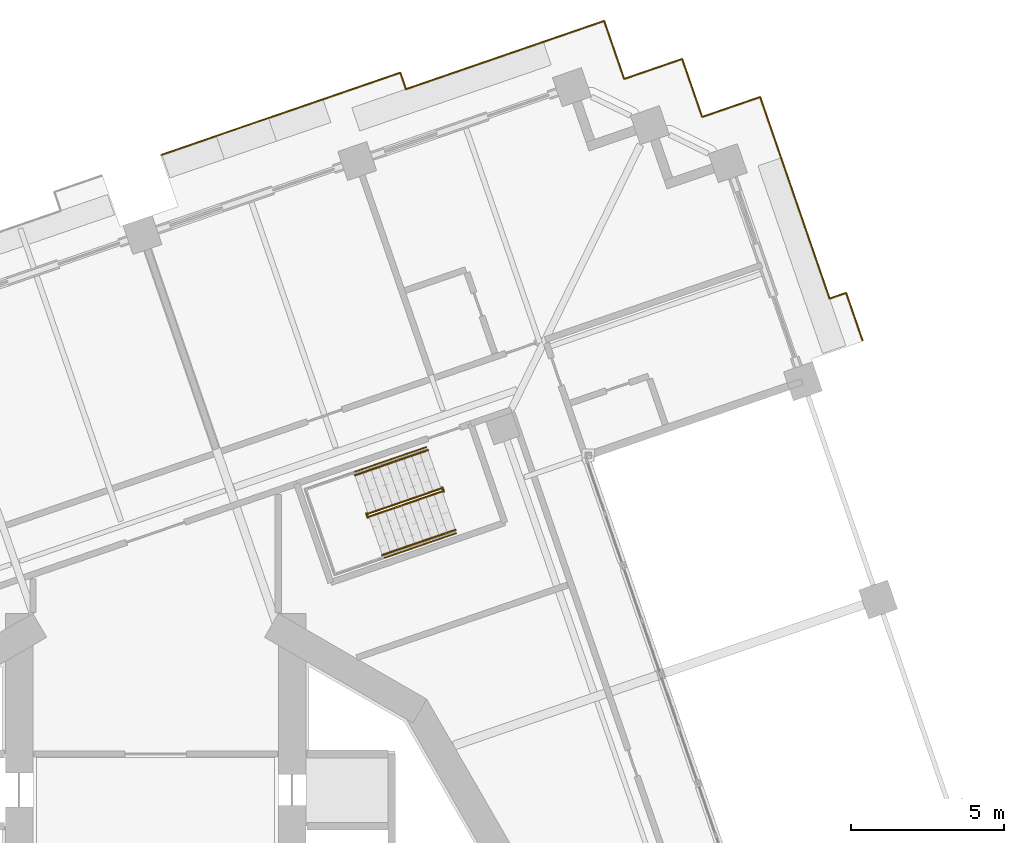
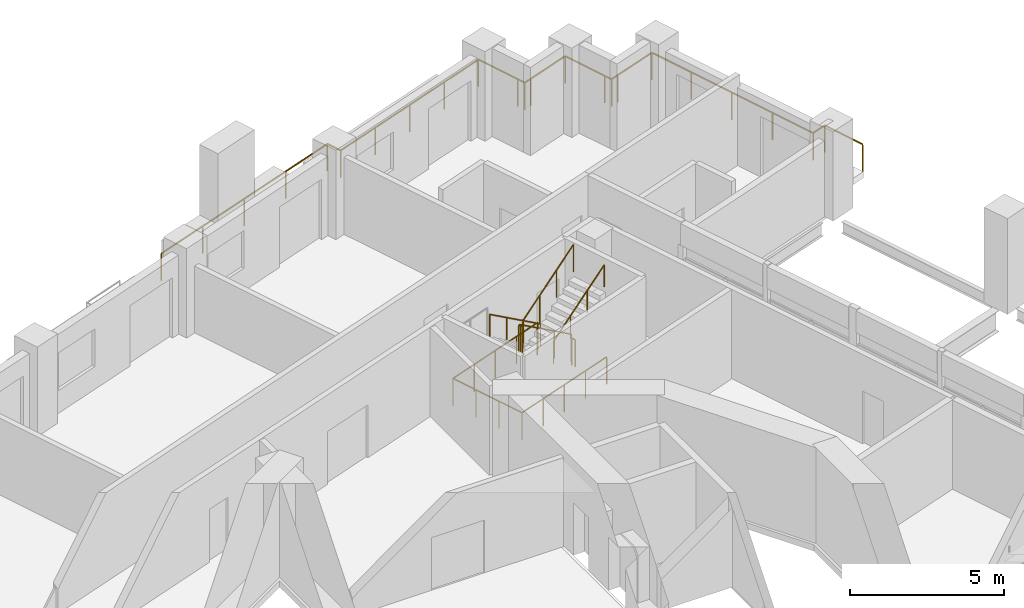
# One storey, part 18 of 19: 8 railings.
"""IFC4 building model written with IfcOpenShell, lengths in metres."""

from ifc_helpers import new_model, si_unit, direction, frame, origin, origin_2d, place, context, subcontext, project, spatial, circle, extrude, material, type_object, element, save


model = new_model("IFC4")

# Units and contexts
model_context = context("Model", 3, precision=1e-05, world=origin(), true_north=direction((0.0, 1.0)))
body_context = subcontext(model_context, "Body", "Model", "MODEL_VIEW")
ifc_project = project(units=[si_unit("LENGTHUNIT", "METRE"), si_unit("AREAUNIT", "SQUARE_METRE"), si_unit("VOLUMEUNIT", "CUBIC_METRE"), si_unit("PLANEANGLEUNIT", "RADIAN"), si_unit("MASSUNIT", "GRAM", prefix="KILO")], contexts=[model_context])

# Site, building, storey
site_placement = place(None, origin())
site = spatial("IfcSite", under=ifc_project, at=site_placement, CompositionType="ELEMENT")
building_placement = place(site_placement, origin())
building = spatial("IfcBuilding", under=site, at=building_placement, Name="Cantera Rosa Tower", CompositionType="ELEMENT")
storey_placement = place(building_placement, frame((0.0, 0.0, 130.699951171875)))
storey = spatial("IfcBuildingStorey", under=building, at=storey_placement, Name="L27", CompositionType="ELEMENT", Elevation=130.699951171875)

# Railings
ifc_material_1 = material(Name="Stainless steel and laminated glass", Category="steel")
railing_type_1 = type_object("IfcRailingType", Name="GUARD 1100", PredefinedType="BALUSTRADE", material=ifc_material_1)
railing_1_placement = place(storey_placement, frame((19.705810546875, 28.466552734375, 0.0)))
element("IfcRailing", 1, at=railing_1_placement, inside=storey, type_object=railing_type_1, Name="GUARD L27-11", PredefinedType="BALUSTRADE", context=body_context, shape_type="SweptSolid", body=[
    extrude(circle(Radius=0.030029296875, at=origin_2d()), frame((0.0, 0.0, 1.070068359375), z_axis=(0.325561349174, -0.945520918819, 0.0), x_axis=(0.945520918819, 0.325561349174, 0.0)), (0.0, 0.0, 1.0), 1.699951171875),
    extrude(circle(Radius=0.030029296875, at=origin_2d()), frame((0.553466796875, -1.607421875, 1.070068359375), z_axis=(0.325547706926, -0.945525616002, 0.0), x_axis=(0.945525616002, 0.325547706926, 0.0)), (0.0, 0.0, 1.0), 5.248779296875),
    extrude(circle(Radius=0.030029296875, at=origin_2d()), frame((2.26220703125, -6.5703125, 1.070068359375), z_axis=(0.945518182111, 0.325569297229, 0.0), x_axis=(-0.325569297229, 0.945518182111, 0.0)), (0.0, 0.0, 1.0), 0.571533203125),
    extrude(circle(Radius=0.030029296875, at=origin_2d()), frame((2.802490234375, -6.38427734375, 1.070068359375), z_axis=(0.325495496573, -0.945543590593, 0.0), x_axis=(0.945543590593, 0.325495496573, 0.0)), (0.0, 0.0, 1.0), 1.64111328125),
    extrude(circle(Radius=0.02490234375, at=origin_2d()), origin(), (0.0, 0.0, 1.0), 1.0400390625),
    extrude(circle(Radius=0.02490234375, at=origin_2d()), frame((0.553466796875, -1.607421875, 0.0)), (0.0, 0.0, 1.0), 1.0400390625),
    extrude(circle(Radius=0.02490234375, at=origin_2d()), frame((1.123046875, -3.26171875, 0.0)), (0.0, 0.0, 1.0), 1.0400390625),
    extrude(circle(Radius=0.02490234375, at=origin_2d()), frame((1.692626953125, -4.916015625, 0.0)), (0.0, 0.0, 1.0), 1.0400390625),
    extrude(circle(Radius=0.02490234375, at=origin_2d()), frame((2.26220703125, -6.5703125, 0.0)), (0.0, 0.0, 1.0), 1.0400390625),
    extrude(circle(Radius=0.02490234375, at=origin_2d()), frame((2.802490234375, -6.38427734375, 0.0)), (0.0, 0.0, 1.0), 1.0400390625),
    extrude(circle(Radius=0.02490234375, at=origin_2d()), frame((3.336669921875, -7.93603515625, 0.0)), (0.0, 0.0, 1.0), 1.0400390625),
])
railing_2_placement = place(storey_placement, frame((0.187255859375, 26.57763671875, 0.0)))
element("IfcRailing", 2, at=railing_2_placement, inside=storey, type_object=railing_type_1, Name="GUARD L27-12", PredefinedType="BALUSTRADE", context=body_context, shape_type="SweptSolid", body=[
    extrude(circle(Radius=0.030029296875, at=origin_2d()), frame((0.0, 0.0, 1.070068359375), z_axis=(0.945522782274, 0.325555937132, 0.0), x_axis=(-0.325555937132, 0.945522782274, 0.0)), (0.0, 0.0, 1.0), 8.238525390625),
    extrude(circle(Radius=0.030029296875, at=origin_2d()), frame((7.789794921875, 2.68212890625, 1.070068359375), z_axis=(0.325871596129, -0.945414037782, 0.0), x_axis=(0.945414037782, 0.325871596129, 0.0)), (0.0, 0.0, 1.0), 0.568603515625),
    extrude(circle(Radius=0.030029296875, at=origin_2d()), frame((7.97509765625, 2.14453125, 1.070068359375), z_axis=(0.945515978241, 0.325575697635, 0.0), x_axis=(-0.325575697635, 0.945515978241, 0.0)), (0.0, 0.0, 1.0), 5.13134765625),
    extrude(circle(Radius=0.030029296875, at=origin_2d()), frame((12.826904296875, 3.815185546875, 1.070068359375), z_axis=(0.945520918819, 0.325561349174, 0.0), x_axis=(-0.325561349174, 0.945520918819, 0.0)), (0.0, 0.0, 1.0), 1.699951171875),
    extrude(circle(Radius=0.030029296875, at=origin_2d()), frame((14.434326171875, 4.36865234375, 1.070068359375), z_axis=(0.325561349174, -0.945520918819, 0.0), x_axis=(0.945520918819, 0.325561349174, 0.0)), (0.0, 0.0, 1.0), 1.699951171875),
    extrude(circle(Radius=0.030029296875, at=origin_2d()), frame((14.98779296875, 2.76123046875, 1.070068359375), z_axis=(0.325489086777, -0.945545797087, 0.0), x_axis=(0.945545797087, 0.325489086777, 0.0)), (0.0, 0.0, 1.0), 0.300048828125),
    extrude(circle(Radius=0.030029296875, at=origin_2d()), frame((15.08544921875, 2.4775390625, 1.070068359375), z_axis=(0.945459489149, 0.325739703411, 0.0), x_axis=(-0.325739703411, 0.945459489149, 0.0)), (0.0, 0.0, 1.0), 0.2998046875),
    extrude(circle(Radius=0.030029296875, at=origin_2d()), frame((15.368896484375, 2.5751953125, 1.070068359375), z_axis=(0.945520918819, 0.325561349174, 0.0), x_axis=(-0.325561349174, 0.945520918819, 0.0)), (0.0, 0.0, 1.0), 1.699951171875),
    extrude(circle(Radius=0.030029296875, at=origin_2d()), frame((16.976318359375, 3.128662109375, 1.070068359375), z_axis=(0.325605561237, -0.945505694584, 0.0), x_axis=(0.945505694584, 0.325605561237, 0.0)), (0.0, 0.0, 1.0), 1.69970703125),
    extrude(circle(Radius=0.030029296875, at=origin_2d()), frame((17.52978515625, 1.521484375, 1.070068359375), z_axis=(0.325489086777, -0.945545797087, 0.0), x_axis=(0.945545797087, 0.325489086777, 0.0)), (0.0, 0.0, 1.0), 0.300048828125),
    extrude(circle(Radius=0.030029296875, at=origin_2d()), frame((17.62744140625, 1.23779296875, 1.070068359375), z_axis=(0.945545797087, 0.325489086777, 0.0), x_axis=(-0.325489086777, 0.945545797087, 0.0)), (0.0, 0.0, 1.0), 0.300048828125),
    extrude(circle(Radius=0.030029296875, at=origin_2d()), frame((17.9111328125, 1.33544921875, 1.070068359375), z_axis=(0.945520918819, 0.325561349174, 0.0), x_axis=(-0.325561349174, 0.945520918819, 0.0)), (0.0, 0.0, 1.0), 1.699951171875),
    extrude(circle(Radius=0.02490234375, at=origin_2d()), origin(), (0.0, 0.0, 1.0), 1.0400390625),
    extrude(circle(Radius=0.02490234375, at=origin_2d()), frame((1.947509765625, 0.67041015625, 0.0)), (0.0, 0.0, 1.0), 1.0400390625),
    extrude(circle(Radius=0.02490234375, at=origin_2d()), frame((3.89501953125, 1.341064453125, 0.0)), (0.0, 0.0, 1.0), 1.0400390625),
    extrude(circle(Radius=0.02490234375, at=origin_2d()), frame((5.84228515625, 2.01171875, 0.0)), (0.0, 0.0, 1.0), 1.0400390625),
    extrude(circle(Radius=0.02490234375, at=origin_2d()), frame((7.789794921875, 2.68212890625, 0.0)), (0.0, 0.0, 1.0), 1.0400390625),
    extrude(circle(Radius=0.02490234375, at=origin_2d()), frame((7.97509765625, 2.14453125, 0.0)), (0.0, 0.0, 1.0), 1.0400390625),
    extrude(circle(Radius=0.02490234375, at=origin_2d()), frame((9.59228515625, 2.701416015625, 0.0)), (0.0, 0.0, 1.0), 1.0400390625),
    extrude(circle(Radius=0.02490234375, at=origin_2d()), frame((11.209716796875, 3.25830078125, 0.0)), (0.0, 0.0, 1.0), 1.0400390625),
    extrude(circle(Radius=0.02490234375, at=origin_2d()), frame((12.826904296875, 3.815185546875, 0.0)), (0.0, 0.0, 1.0), 1.0400390625),
    extrude(circle(Radius=0.02490234375, at=origin_2d()), frame((14.434326171875, 4.36865234375, 0.0)), (0.0, 0.0, 1.0), 1.0400390625),
    extrude(circle(Radius=0.02490234375, at=origin_2d()), frame((14.98779296875, 2.76123046875, 0.0)), (0.0, 0.0, 1.0), 1.0400390625),
    extrude(circle(Radius=0.02490234375, at=origin_2d()), frame((15.08544921875, 2.4775390625, 0.0)), (0.0, 0.0, 1.0), 1.0400390625),
    extrude(circle(Radius=0.02490234375, at=origin_2d()), frame((15.368896484375, 2.5751953125, 0.0)), (0.0, 0.0, 1.0), 1.0400390625),
    extrude(circle(Radius=0.02490234375, at=origin_2d()), frame((16.976318359375, 3.128662109375, 0.0)), (0.0, 0.0, 1.0), 1.0400390625),
    extrude(circle(Radius=0.02490234375, at=origin_2d()), frame((17.52978515625, 1.521484375, 0.0)), (0.0, 0.0, 1.0), 1.0400390625),
    extrude(circle(Radius=0.02490234375, at=origin_2d()), frame((17.62744140625, 1.23779296875, 0.0)), (0.0, 0.0, 1.0), 1.0400390625),
    extrude(circle(Radius=0.02490234375, at=origin_2d()), frame((17.9111328125, 1.33544921875, 0.0)), (0.0, 0.0, 1.0), 1.0400390625),
    extrude(circle(Radius=0.02490234375, at=origin_2d()), frame((19.5185546875, 1.888916015625, 0.0)), (0.0, 0.0, 1.0), 1.0400390625),
])
ifc_material_2 = material(Name="Steel S355J2 (EN 10025-2)", Category="steel")
railing_type_2 = type_object("IfcRailingType", Name="STAIR GUARD 1100", PredefinedType="GUARDRAIL", material=ifc_material_2)
railing_3_placement = place(storey_placement, frame((9.307861328125, 15.7021484375, 0.18994140625)))
element("IfcRailing", 3, at=railing_3_placement, inside=storey, type_object=railing_type_2, Name="L27 ST-21 stair guard 1", PredefinedType="GUARDRAIL", context=body_context, shape_type="SweptSolid", body=[
    extrude(circle(Radius=0.02392578125, at=origin_2d()), frame((0.0, 0.0, 1.076171875), z_axis=(-0.782368949847, -0.269420291028, 0.561526075172), x_axis=(0.325599548996, -0.94550776501, 0.0)), (0.0, 0.0, 1.0), 3.045654296875),
    extrude(circle(Radius=0.02392578125, at=origin_2d()), frame((-2.3828125, -0.820556640625, 2.7861328125), z_axis=(-0.989063265047, 0.147491890402, 0.0), x_axis=(-0.147491890402, -0.989063265047, 0.0)), (0.0, 0.0, 1.0), 0.056396484375),
    extrude(circle(Radius=0.02392578125, at=origin_2d()), frame((-2.4384765625, -0.812255859375, 2.7861328125), z_axis=(0.325990683319, -0.945372981626, 0.0), x_axis=(0.945372981626, 0.325990683319, 0.0)), (0.0, 0.0, 1.0), 0.14990234375),
    extrude(circle(Radius=0.02099609375, at=origin_2d()), origin(), (0.0, 0.0, 1.0), 1.052001953125),
    extrude(circle(Radius=0.02099609375, at=origin_2d()), frame((-0.794189453125, -0.2734375, 0.570068359375)), (0.0, 0.0, 1.0), 1.052001953125),
    extrude(circle(Radius=0.02099609375, at=origin_2d()), frame((-1.588623046875, -0.547119140625, 1.14013671875)), (0.0, 0.0, 1.0), 1.052001953125),
    extrude(circle(Radius=0.02099609375, at=origin_2d()), frame((-2.3828125, -0.820556640625, 1.710205078125)), (0.0, 0.0, 1.0), 1.052001953125),
    extrude(circle(Radius=0.02099609375, at=origin_2d()), frame((-2.4384765625, -0.812255859375, 1.710205078125)), (0.0, 0.0, 1.0), 1.052001953125),
    extrude(circle(Radius=0.02099609375, at=origin_2d()), frame((-2.3896484375, -0.953857421875, 1.710205078125)), (0.0, 0.0, 1.0), 1.052001953125),
])
railing_4_placement = place(storey_placement, frame((6.95703125, 14.7890625, 2.090087890625)))
element("IfcRailing", 4, at=railing_4_placement, inside=storey, type_object=railing_type_2, Name="L27 ST-21 stair guard 2", PredefinedType="GUARDRAIL", context=body_context, shape_type="SweptSolid", body=[
    extrude(circle(Radius=0.02392578125, at=origin_2d()), frame((0.0, 0.0, 1.076171875), z_axis=(0.782389970342, 0.269374966733, 0.561518531845), x_axis=(-0.325542759796, 0.945527319301, 0.0)), (0.0, 0.0, 1.0), 3.045166015625),
    extrude(circle(Radius=0.02099609375, at=origin_2d()), origin(), (0.0, 0.0, 1.0), 1.052001953125),
    extrude(circle(Radius=0.02099609375, at=origin_2d()), frame((0.794189453125, 0.2734375, 0.570068359375)), (0.0, 0.0, 1.0), 1.052001953125),
    extrude(circle(Radius=0.02099609375, at=origin_2d()), frame((1.58837890625, 0.546875, 1.139892578125)), (0.0, 0.0, 1.0), 1.052001953125),
    extrude(circle(Radius=0.02099609375, at=origin_2d()), frame((2.382568359375, 0.8203125, 1.7099609375)), (0.0, 0.0, 1.0), 1.052001953125),
])
railing_5_placement = place(storey_placement, frame((9.3466796875, 15.742919921875, 0.0)))
element("IfcRailing", 5, at=railing_5_placement, inside=storey, type_object=railing_type_2, Name="L27 ST-21 stair guard 3", PredefinedType="GUARDRAIL", context=body_context, shape_type="SweptSolid", body=[
    extrude(circle(Radius=0.02392578125, at=origin_2d()), frame((0.0, 0.0, 1.076171875), z_axis=(0.325489086777, -0.945545797087, 0.0), x_axis=(0.945545797087, 0.325489086777, 0.0)), (0.0, 0.0, 1.0), 0.14990234375),
    extrude(circle(Radius=0.02099609375, at=origin_2d()), origin(), (0.0, 0.0, 1.0), 1.052001953125),
    extrude(circle(Radius=0.02099609375, at=origin_2d()), frame((0.048828125, -0.141845703125, 0.0)), (0.0, 0.0, 1.0), 1.052001953125),
])
railing_6_placement = place(storey_placement, frame((8.828857421875, 17.055908203125, 0.0)))
element("IfcRailing", 6, at=railing_6_placement, inside=storey, type_object=railing_type_2, Name="L27 ST-21 stair guard 4", PredefinedType="GUARDRAIL", context=body_context, shape_type="SweptSolid", body=[
    extrude(circle(Radius=0.02392578125, at=origin_2d()), frame((0.0, 0.0, 1.076171875), z_axis=(-0.945519978022, -0.325564081496, 0.0), x_axis=(0.325564081496, -0.945519978022, 0.0)), (0.0, 0.0, 1.0), 4.197998046875),
    extrude(circle(Radius=0.02392578125, at=origin_2d()), frame((-3.96923828125, -1.36669921875, 1.076171875), z_axis=(0.325608117645, -0.945504814226, 0.0), x_axis=(0.945504814226, 0.325608117645, 0.0)), (0.0, 0.0, 1.0), 2.969970703125),
    extrude(circle(Radius=0.02392578125, at=origin_2d()), frame((-3.002197265625, -4.1748046875, 1.076171875), z_axis=(0.945519978022, 0.325564081496, 0.0), x_axis=(-0.325564081496, 0.945519978022, 0.0)), (0.0, 0.0, 1.0), 4.197998046875),
    extrude(circle(Radius=0.02099609375, at=origin_2d()), origin(), (0.0, 0.0, 1.0), 1.052001953125),
    extrude(circle(Radius=0.02099609375, at=origin_2d()), frame((-0.9921875, -0.341796875, 0.0)), (0.0, 0.0, 1.0), 1.052001953125),
    extrude(circle(Radius=0.02099609375, at=origin_2d()), frame((-1.984619140625, -0.683349609375, 0.0)), (0.0, 0.0, 1.0), 1.052001953125),
    extrude(circle(Radius=0.02099609375, at=origin_2d()), frame((-2.97705078125, -1.02490234375, 0.0)), (0.0, 0.0, 1.0), 1.052001953125),
    extrude(circle(Radius=0.02099609375, at=origin_2d()), frame((-3.96923828125, -1.36669921875, 0.0)), (0.0, 0.0, 1.0), 1.052001953125),
    extrude(circle(Radius=0.02099609375, at=origin_2d()), frame((-3.64697265625, -2.302734375, 0.0)), (0.0, 0.0, 1.0), 1.052001953125),
    extrude(circle(Radius=0.02099609375, at=origin_2d()), frame((-3.324462890625, -3.23876953125, 0.0)), (0.0, 0.0, 1.0), 1.052001953125),
    extrude(circle(Radius=0.02099609375, at=origin_2d()), frame((-3.002197265625, -4.1748046875, 0.0)), (0.0, 0.0, 1.0), 1.052001953125),
    extrude(circle(Radius=0.02099609375, at=origin_2d()), frame((-2.009765625, -3.8330078125, 0.0)), (0.0, 0.0, 1.0), 1.052001953125),
    extrude(circle(Radius=0.02099609375, at=origin_2d()), frame((-1.017578125, -3.491455078125, 0.0)), (0.0, 0.0, 1.0), 1.052001953125),
    extrude(circle(Radius=0.02099609375, at=origin_2d()), frame((-0.025390625, -3.14990234375, 0.0)), (0.0, 0.0, 1.0), 1.052001953125),
    extrude(circle(Radius=0.02099609375, at=origin_2d()), frame((0.967041015625, -2.80810546875, 0.0)), (0.0, 0.0, 1.0), 1.052001953125),
])
ifc_material_3 = material(Name="Steel S355J2 (EN 10025-2)", Category="steel")
railing_type_3 = type_object("IfcRailingType", Name="STAIR HANDRAIL 900", PredefinedType="HANDRAIL", material=ifc_material_3)
railing_7_placement = place(storey_placement, frame((8.8759765625, 16.955810546875, 0.18994140625)))
element("IfcRailing", 7, at=railing_7_placement, inside=storey, type_object=railing_type_3, Name="L27 ST-21 stair handrail 1", PredefinedType="HANDRAIL", context=body_context, shape_type="SweptSolid", body=[
    extrude(circle(Radius=0.02392578125, at=origin_2d()), frame((0.0, 0.0, 0.8759765625), z_axis=(-0.782354748911, -0.26936284008, 0.56157342106), x_axis=(0.325542759796, -0.945527319301, 0.0)), (0.0, 0.0, 1.0), 3.04541015625),
    extrude(circle(Radius=0.02099609375, at=origin_2d()), origin(), (0.0, 0.0, 1.0), 0.851806640625),
    extrude(circle(Radius=0.02099609375, at=origin_2d()), frame((-0.794189453125, -0.2734375, 0.570068359375)), (0.0, 0.0, 1.0), 0.851806640625),
    extrude(circle(Radius=0.02099609375, at=origin_2d()), frame((-1.58837890625, -0.546875, 1.14013671875)), (0.0, 0.0, 1.0), 0.851806640625),
    extrude(circle(Radius=0.02099609375, at=origin_2d()), frame((-2.382568359375, -0.8203125, 1.710205078125)), (0.0, 0.0, 1.0), 0.851806640625),
])
railing_8_placement = place(storey_placement, frame((7.388671875, 13.53515625, 2.090087890625)))
element("IfcRailing", 8, at=railing_8_placement, inside=storey, type_object=railing_type_3, Name="L27 ST-21 stair handrail 2", PredefinedType="HANDRAIL", context=body_context, shape_type="SweptSolid", body=[
    extrude(circle(Radius=0.02392578125, at=origin_2d()), frame((0.0, 0.0, 0.8759765625), z_axis=(0.782404165978, 0.269432418223, 0.561471186323), x_axis=(-0.325599548996, 0.94550776501, 0.0)), (0.0, 0.0, 1.0), 3.04541015625),
    extrude(circle(Radius=0.02099609375, at=origin_2d()), origin(), (0.0, 0.0, 1.0), 0.851806640625),
    extrude(circle(Radius=0.02099609375, at=origin_2d()), frame((0.794189453125, 0.2734375, 0.570068359375)), (0.0, 0.0, 1.0), 0.851806640625),
    extrude(circle(Radius=0.02099609375, at=origin_2d()), frame((1.588623046875, 0.547119140625, 1.139892578125)), (0.0, 0.0, 1.0), 0.851806640625),
    extrude(circle(Radius=0.02099609375, at=origin_2d()), frame((2.3828125, 0.820556640625, 1.7099609375)), (0.0, 0.0, 1.0), 0.851806640625),
])

save(model, "model.ifc")
